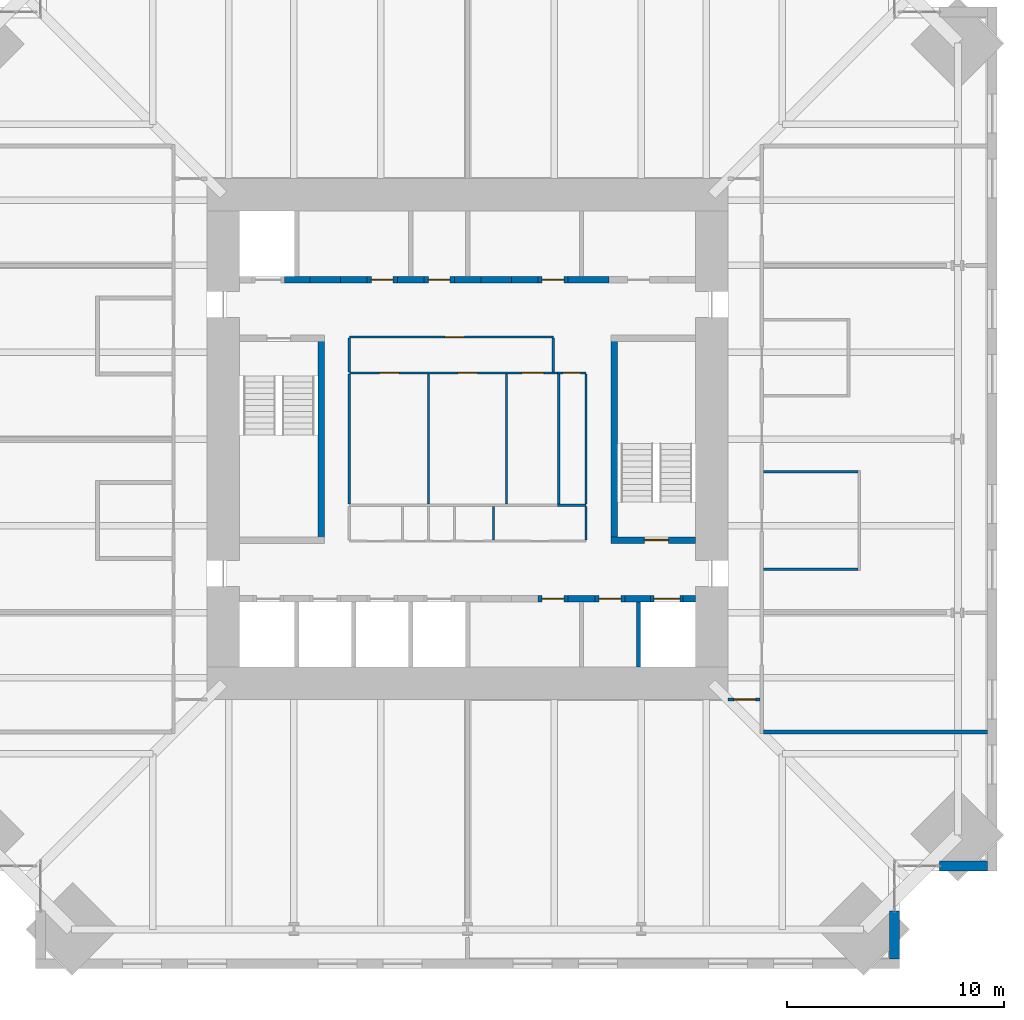
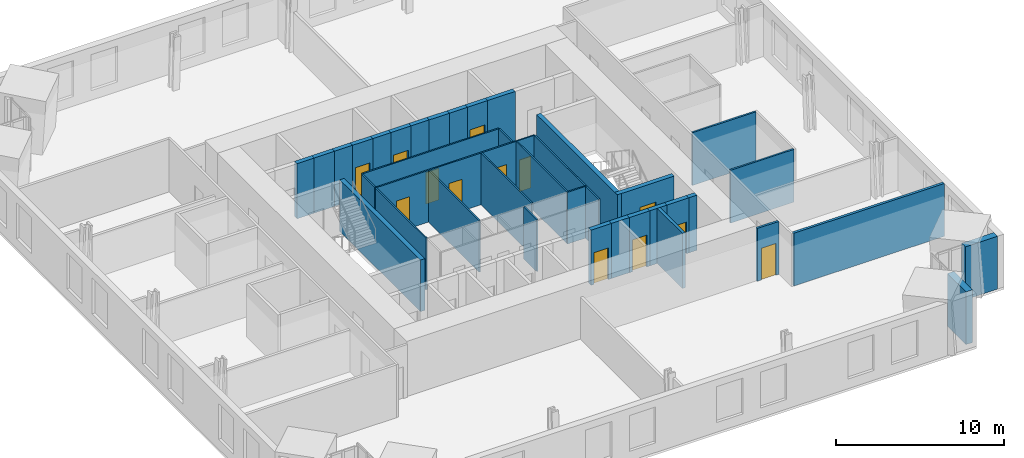
# One storey, part 12 of 15: 40 walls, 13 doors, 13 openings.
"""IFC4 building model written with IfcOpenShell, lengths in metres."""

from ifc_helpers import new_model, si_unit, direction, frame, frame_2d, origin, place, context, subcontext, project, spatial, rectangle, extrude, material, layer, layer_set, type_object, element, fill, save


model = new_model("IFC4")

# Units and contexts
model_context = context("Model", 3, precision=1e-05, world=origin(), true_north=direction((0.0, 1.0)))
body_context = subcontext(model_context, "Body", "Model", "MODEL_VIEW")
ifc_project = project(units=[si_unit("LENGTHUNIT", "METRE"), si_unit("AREAUNIT", "SQUARE_METRE"), si_unit("VOLUMEUNIT", "CUBIC_METRE"), si_unit("PLANEANGLEUNIT", "RADIAN"), si_unit("MASSUNIT", "GRAM", prefix="KILO")], contexts=[model_context])

# Site, building, storey
site_placement = place(None, origin())
site = spatial("IfcSite", under=ifc_project, at=site_placement, CompositionType="ELEMENT")
building_placement = place(site_placement, origin())
building = spatial("IfcBuilding", under=site, at=building_placement, Name="Peilmerk Tower", CompositionType="ELEMENT")
storey_placement = place(building_placement, frame((0.0, 0.0, 205.800048828125)))
storey = spatial("IfcBuildingStorey", under=building, at=storey_placement, Name="L44", CompositionType="ELEMENT", Elevation=205.800048828125)

# Walls
ifc_material_1 = material(Name="Precast concrete C45/55, board-marked finish", Category="concrete")
ifc_layer_1 = layer(ifc_material_1, 0.449951171875)
ifc_layer_set_1 = layer_set([ifc_layer_1], Name="Precast concrete C45/55, board-marked finish")
wall_type_1 = type_object("IfcWallType", Name="EW1 450 precast concrete facade wall, board-marked", PredefinedType="SOLIDWALL", material=ifc_layer_set_1)
for number, where, z_axis, x_axis, name in (
    (1, (19.675048828125, -21.753662109375, 0.0), (0.0, 0.0, 1.0), (0.0, -1.0, 0.0), "Facade wall SEA L44"),
    (2, (21.753662109375, -19.675048828125, 0.0), (0.0, 0.0, 1.0), (1.0, 0.0, 0.0), "Facade wall SEB L44"),
):
    element("IfcWall", number, at=place(storey_placement, frame(where, z_axis=z_axis, x_axis=x_axis)), inside=storey, type_object=wall_type_1, Name=name, PredefinedType="SOLIDWALL", context=body_context, shape_type="SweptSolid", body=[
        extrude(rectangle(XDim=2.1962890625, YDim=0.449951171875, at=frame_2d((1.09814453125, 0.0))), origin(), (0.0, 0.0, 1.0), 3.829833984375),
    ])

# Wall, opening, door
ifc_material_2 = material(Name="Calcium silicate block", Category="masonry")
ifc_layer_2 = layer(ifc_material_2, 0.14990234375)
ifc_layer_set_2 = layer_set([ifc_layer_2], Name="Calcium silicate block")
wall_type_2 = type_object("IfcWallType", Name="IW1 150 corridor partition, EI 60", PredefinedType="PARTITIONING", material=ifc_layer_set_2)
wall_1_placement = place(storey_placement, frame((13.47509765625, -12.0, 0.0), z_axis=(0.0, 0.0, 1.0), x_axis=(-1.0, 0.0, 0.0)))
wall_1 = element("IfcWall", 3, at=wall_1_placement, inside=storey, type_object=wall_type_2, Name="Corridor wall SE L44", PredefinedType="PARTITIONING", context=body_context, shape_type="SweptSolid", body=[
    extrude(rectangle(XDim=1.47509765625, YDim=0.14990234375, at=frame_2d((0.737548828125, 0.0))), origin(), (0.0, 0.0, 1.0), 3.829833984375),
])
opening_1_placement = place(wall_1_placement, frame((0.199951171875, 0.0, 0.0)))
opening_1 = element("IfcOpeningElement", 4, at=opening_1_placement, cuts=wall_1, Name="Opening D1", PredefinedType="OPENING", context=body_context, shape_type="SweptSolid", body=[
    extrude(rectangle(XDim=1.0, YDim=2.300048828125, at=frame_2d((0.5, 1.14990234375))), frame((0.0, 0.0849609375, 0.0), z_axis=(0.0, -1.0, 0.0), x_axis=(1.0, 0.0, 0.0)), (0.0, 0.0, 1.0), 0.169921875),
])
ifc_material_3 = material(Name="Timber door in steel frame", Category="steel")
door_type_1 = type_object("IfcDoorType", Name="D1 1000x2300 room door, EI2 30", OperationType="SINGLE_SWING_LEFT", PredefinedType="DOOR", material=ifc_material_3)
door_1_placement = place(opening_1_placement, origin())
door_1 = element("IfcDoor", 5, at=door_1_placement, inside=storey, type_object=door_type_1, Name="Door Engineering office L44", OperationType="SINGLE_SWING_LEFT", OverallHeight=2.300048828125, OverallWidth=1.0, PredefinedType="DOOR", context=body_context, shape_type="SweptSolid", body=[
    extrude(rectangle(XDim=1.0, YDim=2.300048828125, at=frame_2d((0.5, 1.14990234375))), frame((0.0, 0.02490234375, 0.0), z_axis=(0.0, -1.0, 0.0), x_axis=(1.0, 0.0, 0.0)), (0.0, 0.0, 1.0), 0.050048828125),
])
fill(opening_1, door_1)

# Walls
ifc_material_4 = material(Name="Concrete C35/45", Category="concrete")
ifc_layer_3 = layer(ifc_material_4, 0.300048828125)
ifc_layer_set_3 = layer_set([ifc_layer_3], Name="Concrete C35/45")
wall_type_3 = type_object("IfcWallType", Name="IW3 300 concrete stair enclosure wall, EI 120", PredefinedType="SOLIDWALL", material=ifc_layer_set_3)
for number, where, z_axis, x_axis, name in (
    (6, (-6.75, -4.800048828125, 0.0), (0.0, 0.0, 1.0), (0.0, 1.0, 0.0), "Stair 1 enclosure L44"),
    (7, (6.75, -4.800048828125, 0.0), (0.0, 0.0, 1.0), (0.0, 1.0, 0.0), "Stair 2 enclosure L44"),
):
    element("IfcWall", number, at=place(storey_placement, frame(where, z_axis=z_axis, x_axis=x_axis)), inside=storey, type_object=wall_type_3, Name=name, PredefinedType="SOLIDWALL", context=body_context, shape_type="SweptSolid", body=[
        extrude(rectangle(XDim=9.60009765625, YDim=0.300048828125, at=frame_2d((4.800048828125, 0.0))), origin(), (0.0, 0.0, 1.0), 3.75),
    ])

# Wall, opening, door
wall_2_placement = place(storey_placement, frame((10.5, -4.64990234375, 0.0), z_axis=(0.0, 0.0, 1.0), x_axis=(-1.0, 0.0, 0.0)))
wall_2 = element("IfcWall", 8, at=wall_2_placement, inside=storey, type_object=wall_type_3, Name="Stair 2 enclosure L44", PredefinedType="SOLIDWALL", context=body_context, shape_type="SweptSolid", body=[
    extrude(rectangle(XDim=3.89990234375, YDim=0.300048828125, at=frame_2d((1.949951171875, 0.0))), origin(), (0.0, 0.0, 1.0), 3.75),
])
opening_2_placement = place(wall_2_placement, frame((1.25, 0.0, 0.0)))
opening_2 = element("IfcOpeningElement", 9, at=opening_2_placement, cuts=wall_2, Name="Opening D4", PredefinedType="OPENING", context=body_context, shape_type="SweptSolid", body=[
    extrude(rectangle(XDim=1.10009765625, YDim=2.300048828125, at=frame_2d((0.550048828125, 1.14990234375))), frame((0.0, 0.159912109375, 0.0), z_axis=(0.0, -1.0, 0.0), x_axis=(1.0, 0.0, 0.0)), (0.0, 0.0, 1.0), 0.320068359375),
])
ifc_material_5 = material(Name="Steel door in steel frame", Category="steel")
door_type_2 = type_object("IfcDoorType", Name="D4 1100x2300 stair door, EI2 60", OperationType="SINGLE_SWING_RIGHT", PredefinedType="DOOR", material=ifc_material_5)
door_2_placement = place(opening_2_placement, frame((1.10009765625, 0.0, 0.0), z_axis=(0.0, 0.0, 1.0), x_axis=(-1.0, 0.0, 0.0)))
door_2 = element("IfcDoor", 10, at=door_2_placement, inside=storey, type_object=door_type_2, Name="Stair 2 door L44", OperationType="SINGLE_SWING_RIGHT", OverallHeight=2.300048828125, OverallWidth=1.10009765625, PredefinedType="DOOR", context=body_context, shape_type="SweptSolid", body=[
    extrude(rectangle(XDim=1.10009765625, YDim=2.300048828125, at=frame_2d((0.550048828125, 1.14990234375))), frame((0.0, 0.02490234375, 0.0), z_axis=(0.0, -1.0, 0.0), x_axis=(1.0, 0.0, 0.0)), (0.0, 0.0, 1.0), 0.050048828125),
])
fill(opening_2, door_2)

# Wall, openings, doors
ifc_material_6 = material(Name="Plasterboard on steel studs", Category="steel")
ifc_layer_4 = layer(ifc_material_6, 0.10009765625)
ifc_layer_set_4 = layer_set([ifc_layer_4], Name="Plasterboard on steel studs")
wall_type_4 = type_object("IfcWallType", Name="IW4 100 WC partition", PredefinedType="PARTITIONING", material=ifc_layer_set_4)
wall_3_placement = place(storey_placement, frame((-5.449951171875, 3.050048828125, 0.0), z_axis=(0.0, 0.0, 1.0), x_axis=(1.0, 0.0, 0.0)))
wall_3 = element("IfcWall", 11, at=wall_3_placement, inside=storey, type_object=wall_type_4, Name="WC wall L44", PredefinedType="PARTITIONING", context=body_context, shape_type="SweptSolid", body=[
    extrude(rectangle(XDim=9.599853515625, YDim=0.10009765625, at=frame_2d((4.7998046875, 0.0))), origin(), (0.0, 0.0, 1.0), 3.75),
])
opening_3_placement = place(wall_3_placement, frame((1.39990234375, 0.0, 0.0)))
opening_3 = element("IfcOpeningElement", 12, at=opening_3_placement, cuts=wall_3, Name="Opening D5", PredefinedType="OPENING", context=body_context, shape_type="SweptSolid", body=[
    extrude(rectangle(XDim=0.89990234375, YDim=2.300048828125, at=frame_2d((0.449951171875, 1.14990234375))), frame((0.0, 0.06005859375, 0.0), z_axis=(0.0, -1.0, 0.0), x_axis=(1.0, 0.0, 0.0)), (0.0, 0.0, 1.0), 0.1201171875),
])
opening_4_placement = place(wall_3_placement, frame((5.0, 0.0, 0.0)))
opening_4 = element("IfcOpeningElement", 13, at=opening_4_placement, cuts=wall_3, Name="Opening D5", PredefinedType="OPENING", context=body_context, shape_type="SweptSolid", body=[
    extrude(rectangle(XDim=0.89990234375, YDim=2.300048828125, at=frame_2d((0.449951171875, 1.14990234375))), frame((0.0, 0.06005859375, 0.0), z_axis=(0.0, -1.0, 0.0), x_axis=(1.0, 0.0, 0.0)), (0.0, 0.0, 1.0), 0.1201171875),
])
opening_5_placement = place(wall_3_placement, frame((7.949951171875, 0.0, 0.0)))
opening_5 = element("IfcOpeningElement", 14, at=opening_5_placement, cuts=wall_3, Name="Opening D6", PredefinedType="OPENING", context=body_context, shape_type="SweptSolid", body=[
    extrude(rectangle(XDim=1.0, YDim=2.300048828125, at=frame_2d((0.5, 1.14990234375))), frame((0.0, 0.06005859375, 0.0), z_axis=(0.0, -1.0, 0.0), x_axis=(1.0, 0.0, 0.0)), (0.0, 0.0, 1.0), 0.1201171875),
])
door_type_3 = type_object("IfcDoorType", Name="D5 900x2300 WC door", OperationType="SINGLE_SWING_LEFT", PredefinedType="DOOR", material=ifc_material_3)
door_3_placement = place(opening_3_placement, frame((0.89990234375, 0.0, 0.0), z_axis=(0.0, 0.0, 1.0), x_axis=(-1.0, 0.0, 0.0)))
door_3 = element("IfcDoor", 15, at=door_3_placement, inside=storey, type_object=door_type_3, Name="Male toilets door L44", OperationType="SINGLE_SWING_LEFT", OverallHeight=2.300048828125, OverallWidth=0.89990234375, PredefinedType="DOOR", context=body_context, shape_type="SweptSolid", body=[
    extrude(rectangle(XDim=0.89990234375, YDim=2.300048828125, at=frame_2d((0.449951171875, 1.14990234375))), frame((0.0, 0.02490234375, 0.0), z_axis=(0.0, -1.0, 0.0), x_axis=(1.0, 0.0, 0.0)), (0.0, 0.0, 1.0), 0.050048828125),
])
fill(opening_3, door_3)
door_4_placement = place(opening_4_placement, frame((0.89990234375, 0.0, 0.0), z_axis=(0.0, 0.0, 1.0), x_axis=(-1.0, 0.0, 0.0)))
door_4 = element("IfcDoor", 16, at=door_4_placement, inside=storey, type_object=door_type_3, Name="Female toilets door L44", OperationType="SINGLE_SWING_LEFT", OverallHeight=2.300048828125, OverallWidth=0.89990234375, PredefinedType="DOOR", context=body_context, shape_type="SweptSolid", body=[
    extrude(rectangle(XDim=0.89990234375, YDim=2.300048828125, at=frame_2d((0.449951171875, 1.14990234375))), frame((0.0, 0.02490234375, 0.0), z_axis=(0.0, -1.0, 0.0), x_axis=(1.0, 0.0, 0.0)), (0.0, 0.0, 1.0), 0.050048828125),
])
fill(opening_4, door_4)
door_type_4 = type_object("IfcDoorType", Name="D6 1000x2300 accessible WC door", OperationType="SLIDING_TO_LEFT", PredefinedType="DOOR", material=ifc_material_3)
door_5_placement = place(opening_5_placement, frame((1.0, 0.0, 0.0), z_axis=(0.0, 0.0, 1.0), x_axis=(-1.0, 0.0, 0.0)))
door_5 = element("IfcDoor", 17, at=door_5_placement, inside=storey, type_object=door_type_4, Name="Accessible WC door L44", OperationType="SLIDING_TO_LEFT", OverallHeight=2.300048828125, OverallWidth=1.0, PredefinedType="DOOR", context=body_context, shape_type="SweptSolid", body=[
    extrude(rectangle(XDim=1.0, YDim=2.300048828125, at=frame_2d((0.5, 1.14990234375))), frame((0.0, 0.02490234375, 0.0), z_axis=(0.0, -1.0, 0.0), x_axis=(1.0, 0.0, 0.0)), (0.0, 0.0, 1.0), 0.050048828125),
])
fill(opening_5, door_5)

# Walls
for number, where, z_axis, x_axis, name in (
    (18, (-5.449951171875, -3.0, 0.0), (0.0, 0.0, 1.0), (0.0, 1.0, 0.0), "WC wall L44"),
    (19, (-1.800048828125, -3.0, 0.0), (0.0, 0.0, 1.0), (0.0, 1.0, 0.0), "WC wall L44"),
    (20, (1.800048828125, -3.0, 0.0), (0.0, 0.0, 1.0), (0.0, 1.0, 0.0), "WC wall L44"),
):
    element("IfcWall", number, at=place(storey_placement, frame(where, z_axis=z_axis, x_axis=x_axis)), inside=storey, type_object=wall_type_4, Name=name, PredefinedType="PARTITIONING", context=body_context, shape_type="SweptSolid", body=[
        extrude(rectangle(XDim=6.0, YDim=0.10009765625, at=frame_2d((3.0, 0.0))), origin(), (0.0, 0.0, 1.0), 3.75),
    ])

# Wall, opening, door
ifc_material_7 = material(Name="Calcium silicate board on steel studs", Category="steel")
ifc_layer_5 = layer(ifc_material_7, 0.10009765625)
ifc_layer_set_5 = layer_set([ifc_layer_5], Name="Calcium silicate board on steel studs")
wall_type_5 = type_object("IfcWallType", Name="IW5 100 riser enclosure wall, EI 60", PredefinedType="PARTITIONING", material=ifc_layer_set_5)
wall_4_placement = place(storey_placement, frame((4.14990234375, 3.050048828125, 0.0), z_axis=(0.0, 0.0, 1.0), x_axis=(1.0, 0.0, 0.0)))
wall_4 = element("IfcWall", 21, at=wall_4_placement, inside=storey, type_object=wall_type_5, Name="Riser wall L44", PredefinedType="PARTITIONING", context=body_context, shape_type="SweptSolid", body=[
    extrude(rectangle(XDim=1.300048828125, YDim=0.10009765625, at=frame_2d((0.64990234375, 0.0))), origin(), (0.0, 0.0, 1.0), 3.75),
])
opening_6_placement = place(wall_4_placement, frame((0.25, 0.0, 0.0)))
opening_6 = element("IfcOpeningElement", 22, at=opening_6_placement, cuts=wall_4, Name="Opening D7", PredefinedType="OPENING", context=body_context, shape_type="SweptSolid", body=[
    extrude(rectangle(XDim=0.800048828125, YDim=2.300048828125, at=frame_2d((0.39990234375, 1.14990234375))), frame((0.0, 0.06005859375, 0.0), z_axis=(0.0, -1.0, 0.0), x_axis=(1.0, 0.0, 0.0)), (0.0, 0.0, 1.0), 0.1201171875),
])
door_type_5 = type_object("IfcDoorType", Name="D7 800x2300 riser access door, EI2 60", OperationType="SINGLE_SWING_RIGHT", PredefinedType="DOOR", material=ifc_material_5)
door_6_placement = place(opening_6_placement, frame((0.800048828125, 0.0, 0.0), z_axis=(0.0, 0.0, 1.0), x_axis=(-1.0, 0.0, 0.0)))
door_6 = element("IfcDoor", 23, at=door_6_placement, inside=storey, type_object=door_type_5, Name="Plumbing riser door L44", OperationType="SINGLE_SWING_RIGHT", OverallHeight=2.300048828125, OverallWidth=0.800048828125, PredefinedType="DOOR", context=body_context, shape_type="SweptSolid", body=[
    extrude(rectangle(XDim=0.800048828125, YDim=2.300048828125, at=frame_2d((0.39990234375, 1.14990234375))), frame((0.0, 0.02490234375, 0.0), z_axis=(0.0, -1.0, 0.0), x_axis=(1.0, 0.0, 0.0)), (0.0, 0.0, 1.0), 0.050048828125),
])
fill(opening_6, door_6)

# Walls
wall_5_placement = place(storey_placement, frame((5.449951171875, -3.050048828125, 0.0), z_axis=(0.0, 0.0, 1.0), x_axis=(-1.0, 0.0, 0.0)))
element("IfcWall", 24, at=wall_5_placement, inside=storey, type_object=wall_type_5, Name="Riser wall L44", PredefinedType="PARTITIONING", context=body_context, shape_type="SweptSolid", body=[
    extrude(rectangle(XDim=1.300048828125, YDim=0.10009765625, at=frame_2d((0.64990234375, 0.0))), origin(), (0.0, 0.0, 1.0), 3.75),
])
for number, where, z_axis, x_axis, name in (
    (25, (5.449951171875, 3.0, 0.0), (0.0, 0.0, 1.0), (0.0, -1.0, 0.0), "Riser wall L44"),
    (26, (4.199951171875, -3.0, 0.0), (0.0, 0.0, 1.0), (0.0, 1.0, 0.0), "Riser wall L44"),
):
    element("IfcWall", number, at=place(storey_placement, frame(where, z_axis=z_axis, x_axis=x_axis)), inside=storey, type_object=wall_type_5, Name=name, PredefinedType="PARTITIONING", context=body_context, shape_type="SweptSolid", body=[
        extrude(rectangle(XDim=6.0, YDim=0.10009765625, at=frame_2d((3.0, 0.0))), origin(), (0.0, 0.0, 1.0), 3.75),
    ])
for number, where, z_axis, x_axis, name in (
    (27, (5.449951171875, -3.10009765625, 0.0), (0.0, 0.0, 1.0), (0.0, -1.0, 0.0), "Riser wall L44"),
    (28, (1.199951171875, -3.10009765625, 0.0), (0.0, 0.0, 1.0), (0.0, -1.0, 0.0), "Riser wall L44"),
):
    element("IfcWall", number, at=place(storey_placement, frame(where, z_axis=z_axis, x_axis=x_axis)), inside=storey, type_object=wall_type_5, Name=name, PredefinedType="PARTITIONING", context=body_context, shape_type="SweptSolid", body=[
        extrude(rectangle(XDim=1.5498046875, YDim=0.10009765625, at=frame_2d((0.77490234375, 0.0))), origin(), (0.0, 0.0, 1.0), 3.75),
    ])
ifc_material_8 = material(Name="Plasterboard on steel studs, double boarded with mineral wool", Category="steel")
ifc_layer_6 = layer(ifc_material_8, 0.125)
ifc_layer_set_6 = layer_set([ifc_layer_6], Name="Plasterboard on steel studs, double boarded with mineral wool")
wall_type_6 = type_object("IfcWallType", Name="IW7 125 acoustic partition, EI 30", PredefinedType="PARTITIONING", material=ifc_layer_set_6)
for number, where, z_axis, x_axis, name in (
    (29, (13.625, -6.0, 0.0), (0.0, 0.0, 1.0), (1.0, 0.0, 0.0), "Acoustic partition Meeting room L44"),
    (30, (13.625, -1.5, 0.0), (0.0, 0.0, 1.0), (1.0, 0.0, 0.0), "Acoustic partition Meeting room L44"),
):
    element("IfcWall", number, at=place(storey_placement, frame(where, z_axis=z_axis, x_axis=x_axis)), inside=storey, type_object=wall_type_6, Name=name, PredefinedType="PARTITIONING", context=body_context, shape_type="SweptSolid", body=[
        extrude(rectangle(XDim=4.362548828125, YDim=0.125, at=frame_2d((2.18115234375, 0.0))), origin(), (0.0, 0.0, 1.0), 3.829833984375),
    ])
ifc_layer_7 = layer(ifc_material_2, 0.175048828125)
ifc_layer_set_7 = layer_set([ifc_layer_7], Name="Calcium silicate block")
wall_type_7 = type_object("IfcWallType", Name="IW8 175 tenant separating wall, EI 60", PredefinedType="PARTITIONING", material=ifc_layer_set_7)
wall_6_placement = place(storey_placement, frame((23.949951171875, -13.5, 0.0), z_axis=(0.0, 0.0, 1.0), x_axis=(-1.0, 0.0, 0.0)))
element("IfcWall", 31, at=wall_6_placement, inside=storey, type_object=wall_type_7, Name="Tenant separating wall SE L44", PredefinedType="PARTITIONING", context=body_context, shape_type="SweptSolid", body=[
    extrude(rectangle(XDim=10.324951171875, YDim=0.175048828125, at=frame_2d((5.16259765625, 0.0))), origin(), (0.0, 0.0, 1.0), 3.829833984375),
])

# Wall, opening, door
ifc_material_9 = material(Name="Fire-resisting plasterboard on steel studs", Category="steel")
ifc_layer_8 = layer(ifc_material_9, 0.10009765625)
ifc_layer_set_8 = layer_set([ifc_layer_8], Name="Fire-resisting plasterboard on steel studs")
wall_type_8 = type_object("IfcWallType", Name="IW9 100 WC lobby wall, EI 30", PredefinedType="PARTITIONING", material=ifc_layer_set_8)
wall_7_placement = place(storey_placement, frame((-5.449951171875, 4.699951171875, 0.0), z_axis=(0.0, 0.0, 1.0), x_axis=(1.0, 0.0, 0.0)))
wall_7 = element("IfcWall", 32, at=wall_7_placement, inside=storey, type_object=wall_type_8, Name="WC lobby wall L44", PredefinedType="PARTITIONING", context=body_context, shape_type="SweptSolid", body=[
    extrude(rectangle(XDim=9.39990234375, YDim=0.10009765625, at=frame_2d((4.699951171875, 0.0))), origin(), (0.0, 0.0, 1.0), 3.75),
])
opening_7_placement = place(wall_7_placement, frame((4.39990234375, 0.0, 0.0)))
opening_7 = element("IfcOpeningElement", 33, at=opening_7_placement, cuts=wall_7, Name="Opening D11", PredefinedType="OPENING", context=body_context, shape_type="SweptSolid", body=[
    extrude(rectangle(XDim=0.89990234375, YDim=2.300048828125, at=frame_2d((0.449951171875, 1.14990234375))), frame((0.0, 0.06005859375, 0.0), z_axis=(0.0, -1.0, 0.0), x_axis=(1.0, 0.0, 0.0)), (0.0, 0.0, 1.0), 0.1201171875),
])
door_type_6 = type_object("IfcDoorType", Name="D11 900x2300 WC lobby door, EI2 30", OperationType="SINGLE_SWING_LEFT", PredefinedType="DOOR", material=ifc_material_3)
door_7_placement = place(opening_7_placement, frame((0.89990234375, 0.0, 0.0), z_axis=(0.0, 0.0, 1.0), x_axis=(-1.0, 0.0, 0.0)))
door_7 = element("IfcDoor", 34, at=door_7_placement, inside=storey, type_object=door_type_6, Name="WC lobby door L44", OperationType="SINGLE_SWING_LEFT", OverallHeight=2.300048828125, OverallWidth=0.89990234375, PredefinedType="DOOR", context=body_context, shape_type="SweptSolid", body=[
    extrude(rectangle(XDim=0.89990234375, YDim=2.300048828125, at=frame_2d((0.449951171875, 1.14990234375))), frame((0.0, 0.02490234375, 0.0), z_axis=(0.0, -1.0, 0.0), x_axis=(1.0, 0.0, 0.0)), (0.0, 0.0, 1.0), 0.050048828125),
])
fill(opening_7, door_7)

# Walls
for number, where, z_axis, x_axis, name in (
    (35, (-5.449951171875, 3.10009765625, 0.0), (0.0, 0.0, 1.0), (0.0, 1.0, 0.0), "WC lobby wall L44"),
    (36, (3.949951171875, 3.10009765625, 0.0), (0.0, 0.0, 1.0), (0.0, 1.0, 0.0), "WC lobby wall L44"),
):
    element("IfcWall", number, at=place(storey_placement, frame(where, z_axis=z_axis, x_axis=x_axis)), inside=storey, type_object=wall_type_8, Name=name, PredefinedType="PARTITIONING", context=body_context, shape_type="SweptSolid", body=[
        extrude(rectangle(XDim=1.5498046875, YDim=0.10009765625, at=frame_2d((0.77490234375, 0.0))), origin(), (0.0, 0.0, 1.0), 3.75),
    ])
ifc_layer_9 = layer(ifc_material_2, 0.199951171875)
ifc_layer_set_9 = layer_set([ifc_layer_9], Name="Calcium silicate block")
wall_type_9 = type_object("IfcWallType", Name="SH1 200 shaft dividing wall, EI 120", PredefinedType="PARTITIONING", material=ifc_layer_set_9)
wall_8_placement = place(storey_placement, frame((7.875, -10.5, 0.0), z_axis=(0.0, 0.0, 1.0), x_axis=(0.0, 1.0, 0.0)))
element("IfcWall", 37, at=wall_8_placement, inside=storey, type_object=wall_type_9, Name="Shaft wall S B1 L44", PredefinedType="PARTITIONING", context=body_context, shape_type="SweptSolid", body=[
    extrude(rectangle(XDim=3.0, YDim=0.199951171875, at=frame_2d((1.5, 0.0))), origin(), (0.0, 0.0, 1.0), 4.0),
])
ifc_layer_10 = layer(ifc_material_2, 0.300048828125)
ifc_layer_set_10 = layer_set([ifc_layer_10], Name="Calcium silicate block")
wall_type_10 = type_object("IfcWallType", Name="SH2 300 lift landing door panel, EI 120", PredefinedType="PARTITIONING", material=ifc_layer_set_10)
wall_9_placement = place(storey_placement, frame((-7.262451171875, 7.35009765625, 0.0), z_axis=(0.0, 0.0, 1.0), x_axis=(1.0, 0.0, 0.0)))
element("IfcWall", 38, at=wall_9_placement, inside=storey, type_object=wall_type_10, Name="Lift door panel N A1 L44", PredefinedType="PARTITIONING", context=body_context, shape_type="SweptSolid", body=[
    extrude(rectangle(XDim=1.39990234375, YDim=0.300048828125, at=frame_2d((0.699951171875, 0.0))), origin(), (0.0, 0.0, 1.0), 4.0),
])

# Wall, opening, door
wall_10_placement = place(storey_placement, frame((-4.637451171875, 7.35009765625, 0.0), z_axis=(0.0, 0.0, 1.0), x_axis=(1.0, 0.0, 0.0)))
wall_10 = element("IfcWall", 39, at=wall_10_placement, inside=storey, type_object=wall_type_10, Name="Lift door panel N A2 L44", PredefinedType="PARTITIONING", context=body_context, shape_type="SweptSolid", body=[
    extrude(rectangle(XDim=1.39990234375, YDim=0.300048828125, at=frame_2d((0.699951171875, 0.0))), origin(), (0.0, 0.0, 1.0), 4.0),
])
opening_8_placement = place(wall_10_placement, frame((0.199951171875, 0.0, 0.0)))
opening_8 = element("IfcOpeningElement", 40, at=opening_8_placement, cuts=wall_10, Name="Opening D10", PredefinedType="OPENING", context=body_context, shape_type="SweptSolid", body=[
    extrude(rectangle(XDim=1.0, YDim=2.300048828125, at=frame_2d((0.5, 1.14990234375))), frame((0.0, 0.159912109375, 0.0), z_axis=(0.0, -1.0, 0.0), x_axis=(1.0, 0.0, 0.0)), (0.0, 0.0, 1.0), 0.320068359375),
])
door_type_7 = type_object("IfcDoorType", Name="D10 1000x2300 core room door, EI2 60", OperationType="SINGLE_SWING_RIGHT", PredefinedType="DOOR", material=ifc_material_5)
door_8_placement = place(opening_8_placement, origin())
door_8 = element("IfcDoor", 41, at=door_8_placement, inside=storey, type_object=door_type_7, Name="Door Staff room L44", OperationType="SINGLE_SWING_RIGHT", OverallHeight=2.300048828125, OverallWidth=1.0, PredefinedType="DOOR", context=body_context, shape_type="SweptSolid", body=[
    extrude(rectangle(XDim=1.0, YDim=2.300048828125, at=frame_2d((0.5, 1.14990234375))), frame((0.0, 0.02490234375, 0.0), z_axis=(0.0, -1.0, 0.0), x_axis=(1.0, 0.0, 0.0)), (0.0, 0.0, 1.0), 0.050048828125),
])
fill(opening_8, door_8)

wall_11_placement = place(storey_placement, frame((-2.012451171875, 7.35009765625, 0.0), z_axis=(0.0, 0.0, 1.0), x_axis=(1.0, 0.0, 0.0)))
wall_11 = element("IfcWall", 42, at=wall_11_placement, inside=storey, type_object=wall_type_10, Name="Lift door panel N A3 L44", PredefinedType="PARTITIONING", context=body_context, shape_type="SweptSolid", body=[
    extrude(rectangle(XDim=1.39990234375, YDim=0.300048828125, at=frame_2d((0.699951171875, 0.0))), origin(), (0.0, 0.0, 1.0), 4.0),
])
opening_9_placement = place(wall_11_placement, frame((0.199951171875, 0.0, 0.0)))
opening_9 = element("IfcOpeningElement", 43, at=opening_9_placement, cuts=wall_11, Name="Opening D10", PredefinedType="OPENING", context=body_context, shape_type="SweptSolid", body=[
    extrude(rectangle(XDim=1.0, YDim=2.300048828125, at=frame_2d((0.5, 1.14990234375))), frame((0.0, 0.159912109375, 0.0), z_axis=(0.0, -1.0, 0.0), x_axis=(1.0, 0.0, 0.0)), (0.0, 0.0, 1.0), 0.320068359375),
])
door_9_placement = place(opening_9_placement, origin())
door_9 = element("IfcDoor", 44, at=door_9_placement, inside=storey, type_object=door_type_7, Name="Door Water meter room L44", OperationType="SINGLE_SWING_RIGHT", OverallHeight=2.300048828125, OverallWidth=1.0, PredefinedType="DOOR", context=body_context, shape_type="SweptSolid", body=[
    extrude(rectangle(XDim=1.0, YDim=2.300048828125, at=frame_2d((0.5, 1.14990234375))), frame((0.0, 0.02490234375, 0.0), z_axis=(0.0, -1.0, 0.0), x_axis=(1.0, 0.0, 0.0)), (0.0, 0.0, 1.0), 0.050048828125),
])
fill(opening_9, door_9)

# Wall
wall_12_placement = place(storey_placement, frame((0.612548828125, 7.35009765625, 0.0), z_axis=(0.0, 0.0, 1.0), x_axis=(1.0, 0.0, 0.0)))
element("IfcWall", 45, at=wall_12_placement, inside=storey, type_object=wall_type_10, Name="Lift door panel N S1 L44", PredefinedType="PARTITIONING", context=body_context, shape_type="SweptSolid", body=[
    extrude(rectangle(XDim=1.39990234375, YDim=0.300048828125, at=frame_2d((0.699951171875, 0.0))), origin(), (0.0, 0.0, 1.0), 4.0),
])

# Wall, opening, door
wall_13_placement = place(storey_placement, frame((3.237548828125, 7.35009765625, 0.0), z_axis=(0.0, 0.0, 1.0), x_axis=(1.0, 0.0, 0.0)))
wall_13 = element("IfcWall", 46, at=wall_13_placement, inside=storey, type_object=wall_type_10, Name="Lift door panel N S2 L44", PredefinedType="PARTITIONING", context=body_context, shape_type="SweptSolid", body=[
    extrude(rectangle(XDim=1.39990234375, YDim=0.300048828125, at=frame_2d((0.699951171875, 0.0))), origin(), (0.0, 0.0, 1.0), 4.0),
])
opening_10_placement = place(wall_13_placement, frame((0.199951171875, 0.0, 0.0)))
opening_10 = element("IfcOpeningElement", 47, at=opening_10_placement, cuts=wall_13, Name="Opening D10", PredefinedType="OPENING", context=body_context, shape_type="SweptSolid", body=[
    extrude(rectangle(XDim=1.0, YDim=2.300048828125, at=frame_2d((0.5, 1.14990234375))), frame((0.0, 0.159912109375, 0.0), z_axis=(0.0, -1.0, 0.0), x_axis=(1.0, 0.0, 0.0)), (0.0, 0.0, 1.0), 0.320068359375),
])
door_10_placement = place(opening_10_placement, origin())
door_10 = element("IfcDoor", 48, at=door_10_placement, inside=storey, type_object=door_type_7, Name="Door First aid room L44", OperationType="SINGLE_SWING_RIGHT", OverallHeight=2.300048828125, OverallWidth=1.0, PredefinedType="DOOR", context=body_context, shape_type="SweptSolid", body=[
    extrude(rectangle(XDim=1.0, YDim=2.300048828125, at=frame_2d((0.5, 1.14990234375))), frame((0.0, 0.02490234375, 0.0), z_axis=(0.0, -1.0, 0.0), x_axis=(1.0, 0.0, 0.0)), (0.0, 0.0, 1.0), 0.050048828125),
])
fill(opening_10, door_10)

wall_14_placement = place(storey_placement, frame((3.237548828125, -7.35009765625, 0.0), z_axis=(0.0, 0.0, 1.0), x_axis=(1.0, 0.0, 0.0)))
wall_14 = element("IfcWall", 49, at=wall_14_placement, inside=storey, type_object=wall_type_10, Name="Lift door panel S B2 L44", PredefinedType="PARTITIONING", context=body_context, shape_type="SweptSolid", body=[
    extrude(rectangle(XDim=1.39990234375, YDim=0.300048828125, at=frame_2d((0.699951171875, 0.0))), origin(), (0.0, 0.0, 1.0), 4.0),
])
opening_11_placement = place(wall_14_placement, frame((0.199951171875, 0.0, 0.0)))
opening_11 = element("IfcOpeningElement", 50, at=opening_11_placement, cuts=wall_14, Name="Opening D10", PredefinedType="OPENING", context=body_context, shape_type="SweptSolid", body=[
    extrude(rectangle(XDim=1.0, YDim=2.300048828125, at=frame_2d((0.5, 1.14990234375))), frame((0.0, 0.159912109375, 0.0), z_axis=(0.0, -1.0, 0.0), x_axis=(1.0, 0.0, 0.0)), (0.0, 0.0, 1.0), 0.320068359375),
])
door_11_placement = place(opening_11_placement, frame((1.0, 0.0, 0.0), z_axis=(0.0, 0.0, 1.0), x_axis=(-1.0, 0.0, 0.0)))
door_11 = element("IfcDoor", 51, at=door_11_placement, inside=storey, type_object=door_type_7, Name="Door Mail room L44", OperationType="SINGLE_SWING_RIGHT", OverallHeight=2.300048828125, OverallWidth=1.0, PredefinedType="DOOR", context=body_context, shape_type="SweptSolid", body=[
    extrude(rectangle(XDim=1.0, YDim=2.300048828125, at=frame_2d((0.5, 1.14990234375))), frame((0.0, 0.02490234375, 0.0), z_axis=(0.0, -1.0, 0.0), x_axis=(1.0, 0.0, 0.0)), (0.0, 0.0, 1.0), 0.050048828125),
])
fill(opening_11, door_11)

wall_15_placement = place(storey_placement, frame((5.862548828125, -7.35009765625, 0.0), z_axis=(0.0, 0.0, 1.0), x_axis=(1.0, 0.0, 0.0)))
wall_15 = element("IfcWall", 52, at=wall_15_placement, inside=storey, type_object=wall_type_10, Name="Lift door panel S B1 L44", PredefinedType="PARTITIONING", context=body_context, shape_type="SweptSolid", body=[
    extrude(rectangle(XDim=1.39990234375, YDim=0.300048828125, at=frame_2d((0.699951171875, 0.0))), origin(), (0.0, 0.0, 1.0), 4.0),
])
opening_12_placement = place(wall_15_placement, frame((0.199951171875, 0.0, 0.0)))
opening_12 = element("IfcOpeningElement", 53, at=opening_12_placement, cuts=wall_15, Name="Opening D10", PredefinedType="OPENING", context=body_context, shape_type="SweptSolid", body=[
    extrude(rectangle(XDim=1.0, YDim=2.300048828125, at=frame_2d((0.5, 1.14990234375))), frame((0.0, 0.159912109375, 0.0), z_axis=(0.0, -1.0, 0.0), x_axis=(1.0, 0.0, 0.0)), (0.0, 0.0, 1.0), 0.320068359375),
])
door_12_placement = place(opening_12_placement, frame((1.0, 0.0, 0.0), z_axis=(0.0, 0.0, 1.0), x_axis=(-1.0, 0.0, 0.0)))
door_12 = element("IfcDoor", 54, at=door_12_placement, inside=storey, type_object=door_type_7, Name="Door IT room L44", OperationType="SINGLE_SWING_RIGHT", OverallHeight=2.300048828125, OverallWidth=1.0, PredefinedType="DOOR", context=body_context, shape_type="SweptSolid", body=[
    extrude(rectangle(XDim=1.0, YDim=2.300048828125, at=frame_2d((0.5, 1.14990234375))), frame((0.0, 0.02490234375, 0.0), z_axis=(0.0, -1.0, 0.0), x_axis=(1.0, 0.0, 0.0)), (0.0, 0.0, 1.0), 0.050048828125),
])
fill(opening_12, door_12)

wall_16_placement = place(storey_placement, frame((8.4375, -7.35009765625, 0.0), z_axis=(0.0, 0.0, 1.0), x_axis=(1.0, 0.0, 0.0)))
wall_16 = element("IfcWall", 55, at=wall_16_placement, inside=storey, type_object=wall_type_10, Name="Lift door panel S FL2 L44", PredefinedType="PARTITIONING", context=body_context, shape_type="SweptSolid", body=[
    extrude(rectangle(XDim=1.5, YDim=0.300048828125, at=frame_2d((0.75, 0.0))), origin(), (0.0, 0.0, 1.0), 4.0),
])
opening_13_placement = place(wall_16_placement, frame((0.14990234375, 0.0, 0.0)))
opening_13 = element("IfcOpeningElement", 56, at=opening_13_placement, cuts=wall_16, Name="Opening LD2", PredefinedType="OPENING", context=body_context, shape_type="SweptSolid", body=[
    extrude(rectangle(XDim=1.199951171875, YDim=2.300048828125, at=frame_2d((0.60009765625, 1.14990234375))), frame((0.0, 0.159912109375, 0.0), z_axis=(0.0, -1.0, 0.0), x_axis=(1.0, 0.0, 0.0)), (0.0, 0.0, 1.0), 0.320068359375),
])
ifc_material_10 = material(Name="Stainless steel landing door", Category="steel")
door_type_8 = type_object("IfcDoorType", Name="LD2 1200x2300 lift landing door, sliding, EI2 60", OperationType="SLIDING_TO_LEFT", PredefinedType="DOOR", material=ifc_material_10)
door_13_placement = place(opening_13_placement, origin())
door_13 = element("IfcDoor", 57, at=door_13_placement, inside=storey, type_object=door_type_8, Name="Lift landing door FL2 L44", OperationType="SLIDING_TO_LEFT", OverallHeight=2.300048828125, OverallWidth=1.199951171875, PredefinedType="DOOR", context=body_context, shape_type="SweptSolid", body=[
    extrude(rectangle(XDim=1.199951171875, YDim=2.300048828125, at=frame_2d((0.60009765625, 1.14990234375))), frame((0.0, 0.02490234375, 0.0), z_axis=(0.0, -1.0, 0.0), x_axis=(1.0, 0.0, 0.0)), (0.0, 0.0, 1.0), 0.050048828125),
])
fill(opening_13, door_13)

# Walls
ifc_material_11 = material(Name="Concrete C55/67", Category="concrete")
ifc_layer_11 = layer(ifc_material_11, 0.300048828125)
ifc_layer_set_11 = layer_set([ifc_layer_11], Name="Concrete C55/67")
wall_type_11 = type_object("IfcWallType", Name="SW2 300 lift bank pier", PredefinedType="SHEAR", material=ifc_layer_set_11)
wall_17_placement = place(storey_placement, frame((-8.4375, 7.35009765625, 0.0), z_axis=(0.0, 0.0, 1.0), x_axis=(1.0, 0.0, 0.0)))
element("IfcWall", 58, at=wall_17_placement, inside=storey, type_object=wall_type_11, Name="Lift bank pier N L44", PredefinedType="SHEAR", context=body_context, shape_type="SweptSolid", body=[
    extrude(rectangle(XDim=1.175048828125, YDim=0.300048828125, at=frame_2d((0.58740234375, 0.0))), origin(), (0.0, 0.0, 1.0), 4.0),
])
for number, where, z_axis, x_axis, name in (
    (59, (-5.862548828125, 7.35009765625, 0.0), (0.0, 0.0, 1.0), (1.0, 0.0, 0.0), "Lift bank pier N L44"),
    (60, (-3.237548828125, 7.35009765625, 0.0), (0.0, 0.0, 1.0), (1.0, 0.0, 0.0), "Lift bank pier N L44"),
    (61, (-0.612548828125, 7.35009765625, 0.0), (0.0, 0.0, 1.0), (1.0, 0.0, 0.0), "Lift bank pier N L44"),
    (62, (2.012451171875, 7.35009765625, 0.0), (0.0, 0.0, 1.0), (1.0, 0.0, 0.0), "Lift bank pier N L44"),
):
    element("IfcWall", number, at=place(storey_placement, frame(where, z_axis=z_axis, x_axis=x_axis)), inside=storey, type_object=wall_type_11, Name=name, PredefinedType="SHEAR", context=body_context, shape_type="SweptSolid", body=[
        extrude(rectangle(XDim=1.22509765625, YDim=0.300048828125, at=frame_2d((0.612548828125, 0.0))), origin(), (0.0, 0.0, 1.0), 4.0),
    ])
wall_18_placement = place(storey_placement, frame((4.637451171875, 7.35009765625, 0.0), z_axis=(0.0, 0.0, 1.0), x_axis=(1.0, 0.0, 0.0)))
element("IfcWall", 63, at=wall_18_placement, inside=storey, type_object=wall_type_11, Name="Lift bank pier N L44", PredefinedType="SHEAR", context=body_context, shape_type="SweptSolid", body=[
    extrude(rectangle(XDim=1.887451171875, YDim=0.300048828125, at=frame_2d((0.94384765625, 0.0))), origin(), (0.0, 0.0, 1.0), 4.0),
])
wall_19_placement = place(storey_placement, frame((4.637451171875, -7.35009765625, 0.0), z_axis=(0.0, 0.0, 1.0), x_axis=(1.0, 0.0, 0.0)))
element("IfcWall", 64, at=wall_19_placement, inside=storey, type_object=wall_type_11, Name="Lift bank pier S L44", PredefinedType="SHEAR", context=body_context, shape_type="SweptSolid", body=[
    extrude(rectangle(XDim=1.22509765625, YDim=0.300048828125, at=frame_2d((0.612548828125, 0.0))), origin(), (0.0, 0.0, 1.0), 4.0),
])
wall_20_placement = place(storey_placement, frame((7.262451171875, -7.35009765625, 0.0), z_axis=(0.0, 0.0, 1.0), x_axis=(1.0, 0.0, 0.0)))
element("IfcWall", 65, at=wall_20_placement, inside=storey, type_object=wall_type_11, Name="Lift bank pier S L44", PredefinedType="SHEAR", context=body_context, shape_type="SweptSolid", body=[
    extrude(rectangle(XDim=1.175048828125, YDim=0.300048828125, at=frame_2d((0.58740234375, 0.0))), origin(), (0.0, 0.0, 1.0), 4.0),
])
wall_21_placement = place(storey_placement, frame((9.9375, -7.35009765625, 0.0), z_axis=(0.0, 0.0, 1.0), x_axis=(1.0, 0.0, 0.0)))
element("IfcWall", 66, at=wall_21_placement, inside=storey, type_object=wall_type_11, Name="Lift bank pier S L44", PredefinedType="SHEAR", context=body_context, shape_type="SweptSolid", body=[
    extrude(rectangle(XDim=0.5625, YDim=0.300048828125, at=frame_2d((0.28125, 0.0))), origin(), (0.0, 0.0, 1.0), 4.0),
])

save(model, "model.ifc")
